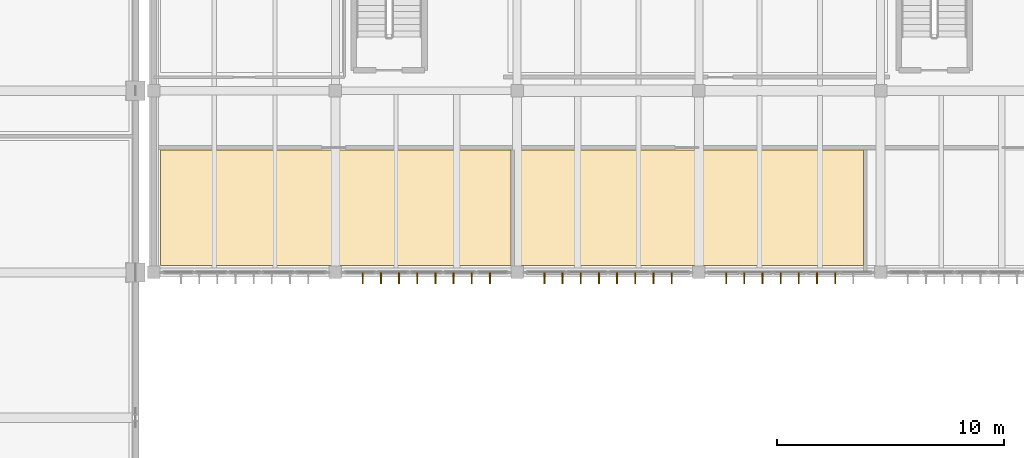
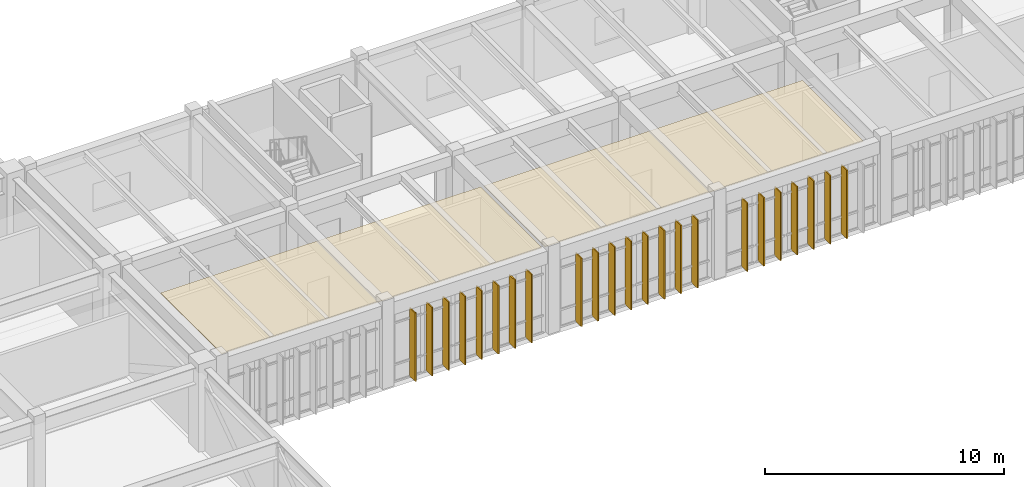
# One storey, part 70 of 79: 23 shading devices, 2 coverings.
"""IFC4 building model written with IfcOpenShell, lengths in metres."""

from ifc_helpers import new_model, si_unit, direction, frame, origin, origin_2d, place, context, subcontext, project, spatial, polyline, rectangle, outline, extrude, material, layer, layer_set, type_object, element, save


model = new_model("IFC4")

# Units and contexts
model_context = context("Model", 3, precision=1e-05, world=origin(), true_north=direction((0.0, 1.0)))
body_context = subcontext(model_context, "Body", "Model", "MODEL_VIEW")
ifc_project = project(units=[si_unit("LENGTHUNIT", "METRE"), si_unit("AREAUNIT", "SQUARE_METRE"), si_unit("VOLUMEUNIT", "CUBIC_METRE"), si_unit("PLANEANGLEUNIT", "RADIAN"), si_unit("MASSUNIT", "GRAM", prefix="KILO")], contexts=[model_context])

# Site, building, storey
site_placement = place(None, origin())
site = spatial("IfcSite", under=ifc_project, at=site_placement, CompositionType="ELEMENT")
building_placement = place(site_placement, origin())
building = spatial("IfcBuilding", under=site, at=building_placement, Name="Tlaxcora Railside Police Headquarters", CompositionType="ELEMENT")
storey_placement = place(building_placement, frame((0.0, 0.0, 9.0)))
storey = spatial("IfcBuildingStorey", under=building, at=storey_placement, Name="L02", CompositionType="ELEMENT", Elevation=9.0)

# Coverings
ifc_material_1 = material(Name="Mineral-fibre acoustic ceiling tile")
ifc_layer_1 = layer(ifc_material_1, 0.034912109375, Name="Mineral-fibre acoustic ceiling tile")
ifc_layer_set_1 = layer_set([ifc_layer_1], Name="Mineral-fibre acoustic ceiling tile")
covering_type = type_object("IfcCoveringType", Name="Acoustic Suspended Ceiling CLG-01", PredefinedType="CEILING", material=ifc_layer_set_1)
covering_1_placement = place(storey_placement, frame((0.0, 0.0, 4.06494140625)))
element("IfcCovering", 1, at=covering_1_placement, inside=storey, type_object=covering_type, Name="Police Academy Lecture Classroom 1 suspended ceiling", PredefinedType="CEILING", context=body_context, shape_type="SweptSolid", body=[
    extrude(outline(polyline([(103.10009765625, 41.39990234375), (103.10009765625, 36.300048828125), (118.531982421875, 36.300048828125), (118.531982421875, 41.39990234375), (103.10009765625, 41.39990234375)])), origin(), (0.0, 0.0, 1.0), 0.03515625),
])
covering_2_placement = place(storey_placement, frame((0.0, 0.0, 4.06494140625)))
element("IfcCovering", 2, at=covering_2_placement, inside=storey, type_object=covering_type, Name="Criminal Law and Procedure Classroom 2 suspended ceiling", PredefinedType="CEILING", context=body_context, shape_type="SweptSolid", body=[
    extrude(outline(polyline([(118.69189453125, 41.39990234375), (118.69189453125, 36.300048828125), (134.0439453125, 36.300048828125), (134.0439453125, 41.39990234375), (118.69189453125, 41.39990234375)])), origin(), (0.0, 0.0, 1.0), 0.03515625),
])

# Shading devices
ifc_material_2 = material(Name="Anodised aluminium framing", Category="aluminium")
ifc_layer_2 = layer(ifc_material_2, 0.054931640625, Name="Anodised aluminium framing")
ifc_layer_set_2 = layer_set([ifc_layer_2], Name="Anodised aluminium framing")
shading_device_type = type_object("IfcShadingDeviceType", Name="Solar Control Fin SF-01", PredefinedType="JALOUSIE", material=ifc_layer_set_2)
for number, where, z_axis, x_axis, name in (
    (3, (112.0, 35.739990234375, 0.0400390625), (0.0, 0.0, 1.0), (0.0, -1.0, 0.0), "Vertical solar fin 976"),
    (4, (112.800048828125, 35.739990234375, 0.0400390625), (0.0, 0.0, 1.0), (0.0, -1.0, 0.0), "Vertical solar fin 977"),
    (5, (113.60009765625, 35.739990234375, 0.0400390625), (0.0, 0.0, 1.0), (0.0, -1.0, 0.0), "Vertical solar fin 978"),
    (6, (114.39990234375, 35.739990234375, 0.0400390625), (0.0, 0.0, 1.0), (0.0, -1.0, 0.0), "Vertical solar fin 979"),
    (7, (115.199951171875, 35.739990234375, 0.0400390625), (0.0, 0.0, 1.0), (0.0, -1.0, 0.0), "Vertical solar fin 980"),
    (8, (116.0, 35.739990234375, 0.0400390625), (0.0, 0.0, 1.0), (0.0, -1.0, 0.0), "Vertical solar fin 981"),
    (9, (116.800048828125, 35.739990234375, 0.0400390625), (0.0, 0.0, 1.0), (0.0, -1.0, 0.0), "Vertical solar fin 982"),
    (10, (117.60009765625, 35.739990234375, 0.0400390625), (0.0, 0.0, 1.0), (0.0, -1.0, 0.0), "Vertical solar fin 983"),
    (11, (120.0, 35.739990234375, 0.0400390625), (0.0, 0.0, 1.0), (0.0, -1.0, 0.0), "Vertical solar fin 984"),
    (12, (120.800048828125, 35.739990234375, 0.0400390625), (0.0, 0.0, 1.0), (0.0, -1.0, 0.0), "Vertical solar fin 985"),
    (13, (121.60009765625, 35.739990234375, 0.0400390625), (0.0, 0.0, 1.0), (0.0, -1.0, 0.0), "Vertical solar fin 986"),
    (14, (122.39990234375, 35.739990234375, 0.0400390625), (0.0, 0.0, 1.0), (0.0, -1.0, 0.0), "Vertical solar fin 987"),
    (15, (123.199951171875, 35.739990234375, 0.0400390625), (0.0, 0.0, 1.0), (0.0, -1.0, 0.0), "Vertical solar fin 988"),
    (16, (124.0, 35.739990234375, 0.0400390625), (0.0, 0.0, 1.0), (0.0, -1.0, 0.0), "Vertical solar fin 989"),
    (17, (124.800048828125, 35.739990234375, 0.0400390625), (0.0, 0.0, 1.0), (0.0, -1.0, 0.0), "Vertical solar fin 990"),
    (18, (125.60009765625, 35.739990234375, 0.0400390625), (0.0, 0.0, 1.0), (0.0, -1.0, 0.0), "Vertical solar fin 991"),
    (19, (128.0, 35.739990234375, 0.0400390625), (0.0, 0.0, 1.0), (0.0, -1.0, 0.0), "Vertical solar fin 992"),
    (20, (128.800048828125, 35.739990234375, 0.0400390625), (0.0, 0.0, 1.0), (0.0, -1.0, 0.0), "Vertical solar fin 993"),
    (21, (129.60009765625, 35.739990234375, 0.0400390625), (0.0, 0.0, 1.0), (0.0, -1.0, 0.0), "Vertical solar fin 994"),
    (22, (130.39990234375, 35.739990234375, 0.0400390625), (0.0, 0.0, 1.0), (0.0, -1.0, 0.0), "Vertical solar fin 995"),
    (23, (131.199951171875, 35.739990234375, 0.0400390625), (0.0, 0.0, 1.0), (0.0, -1.0, 0.0), "Vertical solar fin 996"),
    (24, (132.0, 35.739990234375, 0.0400390625), (0.0, 0.0, 1.0), (0.0, -1.0, 0.0), "Vertical solar fin 997"),
    (25, (132.800048828125, 35.739990234375, 0.0400390625), (0.0, 0.0, 1.0), (0.0, -1.0, 0.0), "Vertical solar fin 998"),
):
    element("IfcShadingDevice", number, at=place(storey_placement, frame(where, z_axis=z_axis, x_axis=x_axis)), inside=storey, type_object=shading_device_type, Name=name, PredefinedType="JALOUSIE", context=body_context, shape_type="SweptSolid", body=[
        extrude(rectangle(XDim=0.47998046875, YDim=0.054931640625, at=origin_2d()), origin(), (0.0, 0.0, 1.0), 3.489990234375),
    ])

save(model, "model.ifc")
